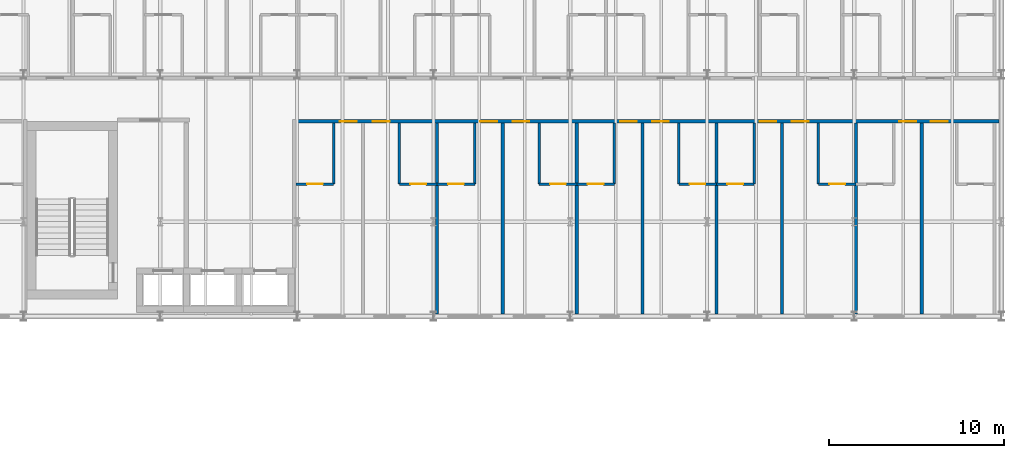
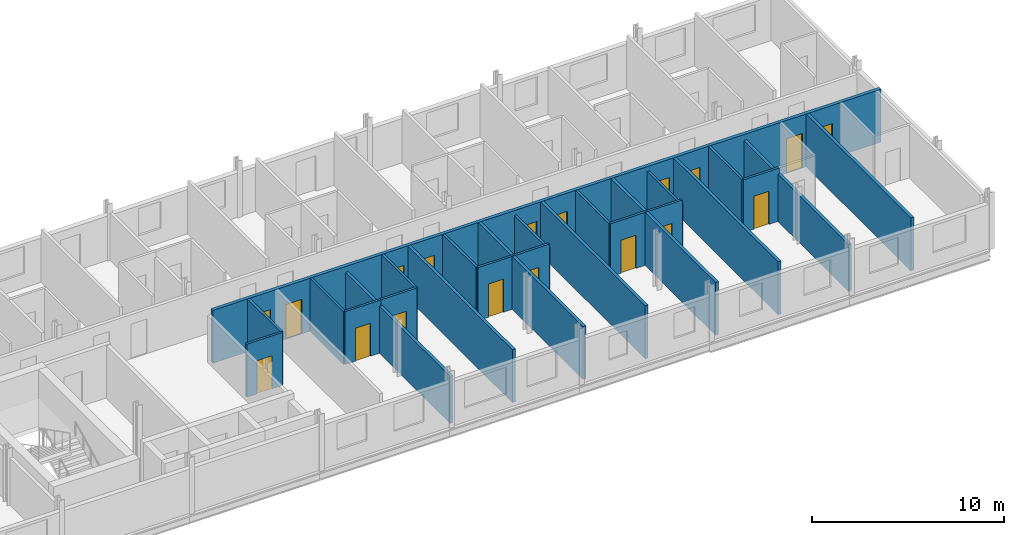
# One storey, part 26 of 36: 25 walls, 18 doors, 18 openings.
"""IFC4 building model written with IfcOpenShell, lengths in metres."""

from ifc_helpers import new_model, si_unit, direction, frame, frame_2d, origin, place, context, subcontext, project, spatial, rectangle, extrude, material, layer, layer_set, type_object, element, fill, save


model = new_model("IFC4")

# Units and contexts
model_context = context("Model", 3, precision=1e-05, world=origin(), true_north=direction((0.0, 1.0)))
body_context = subcontext(model_context, "Body", "Model", "MODEL_VIEW")
ifc_project = project(units=[si_unit("LENGTHUNIT", "METRE"), si_unit("AREAUNIT", "SQUARE_METRE"), si_unit("VOLUMEUNIT", "CUBIC_METRE"), si_unit("PLANEANGLEUNIT", "RADIAN"), si_unit("MASSUNIT", "GRAM", prefix="KILO")], contexts=[model_context])

# Site, building, storey
site_placement = place(None, origin())
site = spatial("IfcSite", under=ifc_project, at=site_placement, CompositionType="ELEMENT")
building_placement = place(site_placement, origin())
building = spatial("IfcBuilding", under=site, at=building_placement, Name="Sefraquen Railside Congress Hotel", CompositionType="ELEMENT")
storey_placement = place(building_placement, frame((0.0, 0.0, 28.199951171875)))
storey = spatial("IfcBuildingStorey", under=building, at=storey_placement, Name="L06", CompositionType="ELEMENT", Elevation=28.199951171875)

# Wall
ifc_material_1 = material(Name="Moisture-resistant gypsum board", Category="gypsum")
ifc_layer_1 = layer(ifc_material_1, 0.139892578125)
ifc_layer_set_1 = layer_set([ifc_layer_1], Name="Moisture-resistant gypsum board")
wall_type_1 = type_object("IfcWallType", Name="TW-PW-140", PredefinedType="PARTITIONING", material=ifc_layer_set_1)
wall_1_placement = place(storey_placement, frame((81.89990234375, 103.550048828125, 0.0), z_axis=(0.0, 0.0, 1.0), x_axis=(0.0, 1.0, 0.0)))
element("IfcWall", 1, at=wall_1_placement, inside=storey, type_object=wall_type_1, Name="En-suite bathroom east wall RM-029", PredefinedType="PARTITIONING", context=body_context, shape_type="SweptSolid", body=[
    extrude(rectangle(XDim=3.469970703125, YDim=0.139892578125, at=frame_2d((1.73486328125, 0.0))), origin(), (0.0, 0.0, 1.0), 3.360107421875),
])

# Wall, opening, door
wall_2_placement = place(storey_placement, frame((79.75, 103.550048828125, 0.0), z_axis=(0.0, 0.0, 1.0), x_axis=(1.0, 0.0, 0.0)))
wall_2 = element("IfcWall", 2, at=wall_2_placement, inside=storey, type_object=wall_type_1, Name="En-suite bathroom south wall RM-029", PredefinedType="PARTITIONING", context=body_context, shape_type="SweptSolid", body=[
    extrude(rectangle(XDim=2.14990234375, YDim=0.139892578125, at=frame_2d((1.074951171875, 0.0))), origin(), (0.0, 0.0, 1.0), 3.360107421875),
])
opening_1_placement = place(wall_2_placement, frame((0.625, 0.0, 0.0)))
opening_1 = element("IfcOpeningElement", 3, at=opening_1_placement, cuts=wall_2, Name="Opening ID-02", PredefinedType="OPENING", context=body_context, shape_type="SweptSolid", body=[
    extrude(rectangle(XDim=0.89990234375, YDim=2.10009765625, at=frame_2d((0.449951171875, 1.050048828125))), frame((0.0, 0.079833984375, 0.0), z_axis=(0.0, -1.0, 0.0), x_axis=(1.0, 0.0, 0.0)), (0.0, 0.0, 1.0), 0.159912109375),
])
ifc_material_2 = material(Name="Lacquered cedar joinery", Category="wood")
door_type_1 = type_object("IfcDoorType", Name="TD-ID-02", OperationType="NOTDEFINED", PredefinedType="DOOR", material=ifc_material_2)
door_1_placement = place(opening_1_placement, frame((0.89990234375, 0.0, 0.0), z_axis=(0.0, 0.0, 1.0), x_axis=(-1.0, 0.0, 0.0)))
door_1 = element("IfcDoor", 4, at=door_1_placement, inside=storey, type_object=door_type_1, Name="En-suite bathroom door RM-029", OperationType="SINGLE_SWING_LEFT", OverallHeight=2.10009765625, OverallWidth=0.89990234375, PredefinedType="DOOR", context=body_context, shape_type="SweptSolid", body=[
    extrude(rectangle(XDim=0.89990234375, YDim=2.10009765625, at=frame_2d((0.449951171875, 1.050048828125))), frame((0.0, 0.02490234375, 0.0), z_axis=(0.0, -1.0, 0.0), x_axis=(1.0, 0.0, 0.0)), (0.0, 0.0, 1.0), 0.050048828125),
])
fill(opening_1, door_1)

# Wall
wall_3_placement = place(storey_placement, frame((85.64990234375, 103.550048828125, 0.0), z_axis=(0.0, 0.0, 1.0), x_axis=(0.0, 1.0, 0.0)))
element("IfcWall", 5, at=wall_3_placement, inside=storey, type_object=wall_type_1, Name="En-suite bathroom west wall RM-030", PredefinedType="PARTITIONING", context=body_context, shape_type="SweptSolid", body=[
    extrude(rectangle(XDim=3.469970703125, YDim=0.139892578125, at=frame_2d((1.73486328125, 0.0))), origin(), (0.0, 0.0, 1.0), 3.360107421875),
])

# Wall, opening, door
wall_4_placement = place(storey_placement, frame((85.64990234375, 103.550048828125, 0.0), z_axis=(0.0, 0.0, 1.0), x_axis=(1.0, 0.0, 0.0)))
wall_4 = element("IfcWall", 6, at=wall_4_placement, inside=storey, type_object=wall_type_1, Name="En-suite bathroom south wall RM-030", PredefinedType="PARTITIONING", context=body_context, shape_type="SweptSolid", body=[
    extrude(rectangle(XDim=2.150146484375, YDim=0.139892578125, at=frame_2d((1.0751953125, 0.0))), origin(), (0.0, 0.0, 1.0), 3.360107421875),
])
opening_2_placement = place(wall_4_placement, frame((0.625, 0.0, 0.0)))
opening_2 = element("IfcOpeningElement", 7, at=opening_2_placement, cuts=wall_4, Name="Opening ID-02", PredefinedType="OPENING", context=body_context, shape_type="SweptSolid", body=[
    extrude(rectangle(XDim=0.89990234375, YDim=2.10009765625, at=frame_2d((0.449951171875, 1.050048828125))), frame((0.0, 0.079833984375, 0.0), z_axis=(0.0, -1.0, 0.0), x_axis=(1.0, 0.0, 0.0)), (0.0, 0.0, 1.0), 0.159912109375),
])
door_2_placement = place(opening_2_placement, frame((0.89990234375, 0.0, 0.0), z_axis=(0.0, 0.0, 1.0), x_axis=(-1.0, 0.0, 0.0)))
door_2 = element("IfcDoor", 8, at=door_2_placement, inside=storey, type_object=door_type_1, Name="En-suite bathroom door RM-030", OperationType="SINGLE_SWING_LEFT", OverallHeight=2.10009765625, OverallWidth=0.89990234375, PredefinedType="DOOR", context=body_context, shape_type="SweptSolid", body=[
    extrude(rectangle(XDim=0.89990234375, YDim=2.10009765625, at=frame_2d((0.449951171875, 1.050048828125))), frame((0.0, 0.02490234375, 0.0), z_axis=(0.0, -1.0, 0.0), x_axis=(1.0, 0.0, 0.0)), (0.0, 0.0, 1.0), 0.050048828125),
])
fill(opening_2, door_2)

# Wall
wall_5_placement = place(storey_placement, frame((89.949951171875, 103.550048828125, 0.0), z_axis=(0.0, 0.0, 1.0), x_axis=(0.0, 1.0, 0.0)))
element("IfcWall", 9, at=wall_5_placement, inside=storey, type_object=wall_type_1, Name="En-suite bathroom east wall RM-031", PredefinedType="PARTITIONING", context=body_context, shape_type="SweptSolid", body=[
    extrude(rectangle(XDim=3.469970703125, YDim=0.139892578125, at=frame_2d((1.73486328125, 0.0))), origin(), (0.0, 0.0, 1.0), 3.360107421875),
])

# Wall, opening, door
wall_6_placement = place(storey_placement, frame((87.800048828125, 103.550048828125, 0.0), z_axis=(0.0, 0.0, 1.0), x_axis=(1.0, 0.0, 0.0)))
wall_6 = element("IfcWall", 10, at=wall_6_placement, inside=storey, type_object=wall_type_1, Name="En-suite bathroom south wall RM-031", PredefinedType="PARTITIONING", context=body_context, shape_type="SweptSolid", body=[
    extrude(rectangle(XDim=2.14990234375, YDim=0.139892578125, at=frame_2d((1.074951171875, 0.0))), origin(), (0.0, 0.0, 1.0), 3.360107421875),
])
opening_3_placement = place(wall_6_placement, frame((0.625, 0.0, 0.0)))
opening_3 = element("IfcOpeningElement", 11, at=opening_3_placement, cuts=wall_6, Name="Opening ID-02", PredefinedType="OPENING", context=body_context, shape_type="SweptSolid", body=[
    extrude(rectangle(XDim=0.89990234375, YDim=2.10009765625, at=frame_2d((0.449951171875, 1.050048828125))), frame((0.0, 0.079833984375, 0.0), z_axis=(0.0, -1.0, 0.0), x_axis=(1.0, 0.0, 0.0)), (0.0, 0.0, 1.0), 0.159912109375),
])
door_3_placement = place(opening_3_placement, frame((0.89990234375, 0.0, 0.0), z_axis=(0.0, 0.0, 1.0), x_axis=(-1.0, 0.0, 0.0)))
door_3 = element("IfcDoor", 12, at=door_3_placement, inside=storey, type_object=door_type_1, Name="En-suite bathroom door RM-031", OperationType="SINGLE_SWING_LEFT", OverallHeight=2.10009765625, OverallWidth=0.89990234375, PredefinedType="DOOR", context=body_context, shape_type="SweptSolid", body=[
    extrude(rectangle(XDim=0.89990234375, YDim=2.10009765625, at=frame_2d((0.449951171875, 1.050048828125))), frame((0.0, 0.02490234375, 0.0), z_axis=(0.0, -1.0, 0.0), x_axis=(1.0, 0.0, 0.0)), (0.0, 0.0, 1.0), 0.050048828125),
])
fill(opening_3, door_3)

# Wall
wall_7_placement = place(storey_placement, frame((93.6201171875, 103.550048828125, 0.0), z_axis=(0.0, 0.0, 1.0), x_axis=(0.0, 1.0, 0.0)))
element("IfcWall", 13, at=wall_7_placement, inside=storey, type_object=wall_type_1, Name="En-suite bathroom west wall RM-032", PredefinedType="PARTITIONING", context=body_context, shape_type="SweptSolid", body=[
    extrude(rectangle(XDim=3.469970703125, YDim=0.139892578125, at=frame_2d((1.73486328125, 0.0))), origin(), (0.0, 0.0, 1.0), 3.360107421875),
])

# Wall, opening, door
wall_8_placement = place(storey_placement, frame((93.6201171875, 103.550048828125, 0.0), z_axis=(0.0, 0.0, 1.0), x_axis=(1.0, 0.0, 0.0)))
wall_8 = element("IfcWall", 14, at=wall_8_placement, inside=storey, type_object=wall_type_1, Name="En-suite bathroom south wall RM-032", PredefinedType="PARTITIONING", context=body_context, shape_type="SweptSolid", body=[
    extrude(rectangle(XDim=2.14990234375, YDim=0.139892578125, at=frame_2d((1.074951171875, 0.0))), origin(), (0.0, 0.0, 1.0), 3.360107421875),
])
opening_4_placement = place(wall_8_placement, frame((0.625, 0.0, 0.0)))
opening_4 = element("IfcOpeningElement", 15, at=opening_4_placement, cuts=wall_8, Name="Opening ID-02", PredefinedType="OPENING", context=body_context, shape_type="SweptSolid", body=[
    extrude(rectangle(XDim=0.89990234375, YDim=2.10009765625, at=frame_2d((0.449951171875, 1.050048828125))), frame((0.0, 0.079833984375, 0.0), z_axis=(0.0, -1.0, 0.0), x_axis=(1.0, 0.0, 0.0)), (0.0, 0.0, 1.0), 0.159912109375),
])
door_4_placement = place(opening_4_placement, frame((0.89990234375, 0.0, 0.0), z_axis=(0.0, 0.0, 1.0), x_axis=(-1.0, 0.0, 0.0)))
door_4 = element("IfcDoor", 16, at=door_4_placement, inside=storey, type_object=door_type_1, Name="En-suite bathroom door RM-032", OperationType="SINGLE_SWING_LEFT", OverallHeight=2.10009765625, OverallWidth=0.89990234375, PredefinedType="DOOR", context=body_context, shape_type="SweptSolid", body=[
    extrude(rectangle(XDim=0.89990234375, YDim=2.10009765625, at=frame_2d((0.449951171875, 1.050048828125))), frame((0.0, 0.02490234375, 0.0), z_axis=(0.0, -1.0, 0.0), x_axis=(1.0, 0.0, 0.0)), (0.0, 0.0, 1.0), 0.050048828125),
])
fill(opening_4, door_4)

# Wall
wall_9_placement = place(storey_placement, frame((97.919921875, 103.550048828125, 0.0), z_axis=(0.0, 0.0, 1.0), x_axis=(0.0, 1.0, 0.0)))
element("IfcWall", 17, at=wall_9_placement, inside=storey, type_object=wall_type_1, Name="En-suite bathroom east wall RM-033", PredefinedType="PARTITIONING", context=body_context, shape_type="SweptSolid", body=[
    extrude(rectangle(XDim=3.469970703125, YDim=0.139892578125, at=frame_2d((1.73486328125, 0.0))), origin(), (0.0, 0.0, 1.0), 3.050048828125),
])

# Wall, opening, door
wall_10_placement = place(storey_placement, frame((95.77001953125, 103.550048828125, 0.0), z_axis=(0.0, 0.0, 1.0), x_axis=(1.0, 0.0, 0.0)))
wall_10 = element("IfcWall", 18, at=wall_10_placement, inside=storey, type_object=wall_type_1, Name="En-suite bathroom south wall RM-033", PredefinedType="PARTITIONING", context=body_context, shape_type="SweptSolid", body=[
    extrude(rectangle(XDim=2.14990234375, YDim=0.139892578125, at=frame_2d((1.074951171875, 0.0))), origin(), (0.0, 0.0, 1.0), 3.360107421875),
])
opening_5_placement = place(wall_10_placement, frame((0.625, 0.0, 0.0)))
opening_5 = element("IfcOpeningElement", 19, at=opening_5_placement, cuts=wall_10, Name="Opening ID-02", PredefinedType="OPENING", context=body_context, shape_type="SweptSolid", body=[
    extrude(rectangle(XDim=0.89990234375, YDim=2.10009765625, at=frame_2d((0.449951171875, 1.050048828125))), frame((0.0, 0.079833984375, 0.0), z_axis=(0.0, -1.0, 0.0), x_axis=(1.0, 0.0, 0.0)), (0.0, 0.0, 1.0), 0.159912109375),
])
door_5_placement = place(opening_5_placement, frame((0.89990234375, 0.0, 0.0), z_axis=(0.0, 0.0, 1.0), x_axis=(-1.0, 0.0, 0.0)))
door_5 = element("IfcDoor", 20, at=door_5_placement, inside=storey, type_object=door_type_1, Name="En-suite bathroom door RM-033", OperationType="SINGLE_SWING_LEFT", OverallHeight=2.10009765625, OverallWidth=0.89990234375, PredefinedType="DOOR", context=body_context, shape_type="SweptSolid", body=[
    extrude(rectangle(XDim=0.89990234375, YDim=2.10009765625, at=frame_2d((0.449951171875, 1.050048828125))), frame((0.0, 0.02490234375, 0.0), z_axis=(0.0, -1.0, 0.0), x_axis=(1.0, 0.0, 0.0)), (0.0, 0.0, 1.0), 0.050048828125),
])
fill(opening_5, door_5)

# Wall
wall_11_placement = place(storey_placement, frame((101.590087890625, 103.550048828125, 0.0), z_axis=(0.0, 0.0, 1.0), x_axis=(0.0, 1.0, 0.0)))
element("IfcWall", 21, at=wall_11_placement, inside=storey, type_object=wall_type_1, Name="En-suite bathroom west wall RM-034", PredefinedType="PARTITIONING", context=body_context, shape_type="SweptSolid", body=[
    extrude(rectangle(XDim=3.469970703125, YDim=0.139892578125, at=frame_2d((1.73486328125, 0.0))), origin(), (0.0, 0.0, 1.0), 3.360107421875),
])

# Wall, opening, door
wall_12_placement = place(storey_placement, frame((101.590087890625, 103.550048828125, 0.0), z_axis=(0.0, 0.0, 1.0), x_axis=(1.0, 0.0, 0.0)))
wall_12 = element("IfcWall", 22, at=wall_12_placement, inside=storey, type_object=wall_type_1, Name="En-suite bathroom south wall RM-034", PredefinedType="PARTITIONING", context=body_context, shape_type="SweptSolid", body=[
    extrude(rectangle(XDim=2.14990234375, YDim=0.139892578125, at=frame_2d((1.074951171875, 0.0))), origin(), (0.0, 0.0, 1.0), 3.360107421875),
])
opening_6_placement = place(wall_12_placement, frame((0.625, 0.0, 0.0)))
opening_6 = element("IfcOpeningElement", 23, at=opening_6_placement, cuts=wall_12, Name="Opening ID-02", PredefinedType="OPENING", context=body_context, shape_type="SweptSolid", body=[
    extrude(rectangle(XDim=0.89990234375, YDim=2.10009765625, at=frame_2d((0.449951171875, 1.050048828125))), frame((0.0, 0.079833984375, 0.0), z_axis=(0.0, -1.0, 0.0), x_axis=(1.0, 0.0, 0.0)), (0.0, 0.0, 1.0), 0.159912109375),
])
door_6_placement = place(opening_6_placement, frame((0.89990234375, 0.0, 0.0), z_axis=(0.0, 0.0, 1.0), x_axis=(-1.0, 0.0, 0.0)))
door_6 = element("IfcDoor", 24, at=door_6_placement, inside=storey, type_object=door_type_1, Name="En-suite bathroom door RM-034", OperationType="SINGLE_SWING_LEFT", OverallHeight=2.10009765625, OverallWidth=0.89990234375, PredefinedType="DOOR", context=body_context, shape_type="SweptSolid", body=[
    extrude(rectangle(XDim=0.89990234375, YDim=2.10009765625, at=frame_2d((0.449951171875, 1.050048828125))), frame((0.0, 0.02490234375, 0.0), z_axis=(0.0, -1.0, 0.0), x_axis=(1.0, 0.0, 0.0)), (0.0, 0.0, 1.0), 0.050048828125),
])
fill(opening_6, door_6)

# Wall
wall_13_placement = place(storey_placement, frame((105.889892578125, 103.550048828125, 0.0), z_axis=(0.0, 0.0, 1.0), x_axis=(0.0, 1.0, 0.0)))
element("IfcWall", 25, at=wall_13_placement, inside=storey, type_object=wall_type_1, Name="En-suite bathroom east wall RM-035", PredefinedType="PARTITIONING", context=body_context, shape_type="SweptSolid", body=[
    extrude(rectangle(XDim=3.469970703125, YDim=0.139892578125, at=frame_2d((1.73486328125, 0.0))), origin(), (0.0, 0.0, 1.0), 3.050048828125),
])

# Wall, opening, door
wall_14_placement = place(storey_placement, frame((103.739990234375, 103.550048828125, 0.0), z_axis=(0.0, 0.0, 1.0), x_axis=(1.0, 0.0, 0.0)))
wall_14 = element("IfcWall", 26, at=wall_14_placement, inside=storey, type_object=wall_type_1, Name="En-suite bathroom south wall RM-035", PredefinedType="PARTITIONING", context=body_context, shape_type="SweptSolid", body=[
    extrude(rectangle(XDim=2.14990234375, YDim=0.139892578125, at=frame_2d((1.074951171875, 0.0))), origin(), (0.0, 0.0, 1.0), 3.360107421875),
])
opening_7_placement = place(wall_14_placement, frame((0.625, 0.0, 0.0)))
opening_7 = element("IfcOpeningElement", 27, at=opening_7_placement, cuts=wall_14, Name="Opening ID-02", PredefinedType="OPENING", context=body_context, shape_type="SweptSolid", body=[
    extrude(rectangle(XDim=0.89990234375, YDim=2.10009765625, at=frame_2d((0.449951171875, 1.050048828125))), frame((0.0, 0.079833984375, 0.0), z_axis=(0.0, -1.0, 0.0), x_axis=(1.0, 0.0, 0.0)), (0.0, 0.0, 1.0), 0.159912109375),
])
door_7_placement = place(opening_7_placement, frame((0.89990234375, 0.0, 0.0), z_axis=(0.0, 0.0, 1.0), x_axis=(-1.0, 0.0, 0.0)))
door_7 = element("IfcDoor", 28, at=door_7_placement, inside=storey, type_object=door_type_1, Name="En-suite bathroom door RM-035", OperationType="SINGLE_SWING_LEFT", OverallHeight=2.10009765625, OverallWidth=0.89990234375, PredefinedType="DOOR", context=body_context, shape_type="SweptSolid", body=[
    extrude(rectangle(XDim=0.89990234375, YDim=2.10009765625, at=frame_2d((0.449951171875, 1.050048828125))), frame((0.0, 0.02490234375, 0.0), z_axis=(0.0, -1.0, 0.0), x_axis=(1.0, 0.0, 0.0)), (0.0, 0.0, 1.0), 0.050048828125),
])
fill(opening_7, door_7)

# Wall
wall_15_placement = place(storey_placement, frame((109.56005859375, 103.550048828125, 0.0), z_axis=(0.0, 0.0, 1.0), x_axis=(0.0, 1.0, 0.0)))
element("IfcWall", 29, at=wall_15_placement, inside=storey, type_object=wall_type_1, Name="En-suite bathroom west wall RM-036", PredefinedType="PARTITIONING", context=body_context, shape_type="SweptSolid", body=[
    extrude(rectangle(XDim=3.469970703125, YDim=0.139892578125, at=frame_2d((1.73486328125, 0.0))), origin(), (0.0, 0.0, 1.0), 3.360107421875),
])

# Wall, opening, door
wall_16_placement = place(storey_placement, frame((109.56005859375, 103.550048828125, 0.0), z_axis=(0.0, 0.0, 1.0), x_axis=(1.0, 0.0, 0.0)))
wall_16 = element("IfcWall", 30, at=wall_16_placement, inside=storey, type_object=wall_type_1, Name="En-suite bathroom south wall RM-036", PredefinedType="PARTITIONING", context=body_context, shape_type="SweptSolid", body=[
    extrude(rectangle(XDim=2.14990234375, YDim=0.139892578125, at=frame_2d((1.074951171875, 0.0))), origin(), (0.0, 0.0, 1.0), 3.360107421875),
])
opening_8_placement = place(wall_16_placement, frame((0.625, 0.0, 0.0)))
opening_8 = element("IfcOpeningElement", 31, at=opening_8_placement, cuts=wall_16, Name="Opening ID-02", PredefinedType="OPENING", context=body_context, shape_type="SweptSolid", body=[
    extrude(rectangle(XDim=0.89990234375, YDim=2.10009765625, at=frame_2d((0.449951171875, 1.050048828125))), frame((0.0, 0.079833984375, 0.0), z_axis=(0.0, -1.0, 0.0), x_axis=(1.0, 0.0, 0.0)), (0.0, 0.0, 1.0), 0.159912109375),
])
door_8_placement = place(opening_8_placement, frame((0.89990234375, 0.0, 0.0), z_axis=(0.0, 0.0, 1.0), x_axis=(-1.0, 0.0, 0.0)))
door_8 = element("IfcDoor", 32, at=door_8_placement, inside=storey, type_object=door_type_1, Name="En-suite bathroom door RM-036", OperationType="SINGLE_SWING_LEFT", OverallHeight=2.10009765625, OverallWidth=0.89990234375, PredefinedType="DOOR", context=body_context, shape_type="SweptSolid", body=[
    extrude(rectangle(XDim=0.89990234375, YDim=2.10009765625, at=frame_2d((0.449951171875, 1.050048828125))), frame((0.0, 0.02490234375, 0.0), z_axis=(0.0, -1.0, 0.0), x_axis=(1.0, 0.0, 0.0)), (0.0, 0.0, 1.0), 0.050048828125),
])
fill(opening_8, door_8)

# Walls
ifc_material_3 = material(Name="Acoustic gypsum board on metal stud", Category="gypsum")
ifc_layer_2 = layer(ifc_material_3, 0.179931640625)
ifc_layer_set_2 = layer_set([ifc_layer_2], Name="Acoustic gypsum board on metal stud")
wall_type_2 = type_object("IfcWallType", Name="TW-PW-180", PredefinedType="PARTITIONING", material=ifc_layer_set_2)
wall_17_placement = place(storey_placement, frame((87.800048828125, 96.139892578125, 0.0), z_axis=(0.0, 0.0, 1.0), x_axis=(0.0, 1.0, 0.0)))
element("IfcWall", 33, at=wall_17_placement, inside=storey, type_object=wall_type_2, Name="South guest room demising wall RM-030", PredefinedType="PARTITIONING", context=body_context, shape_type="SweptSolid", body=[
    extrude(rectangle(XDim=10.880126953125, YDim=0.179931640625, at=frame_2d((5.43994140625, 0.0))), origin(), (0.0, 0.0, 1.0), 2.989990234375),
])
for number, where, z_axis, x_axis, name in (
    (34, (91.544921875, 96.139892578125, 0.0), (0.0, 0.0, 1.0), (0.0, 1.0, 0.0), "South guest room demising wall RM-031"),
    (35, (95.77001953125, 96.139892578125, 0.0), (0.0, 0.0, 1.0), (0.0, 1.0, 0.0), "South guest room demising wall RM-032"),
    (36, (99.514892578125, 96.139892578125, 0.0), (0.0, 0.0, 1.0), (0.0, 1.0, 0.0), "South guest room demising wall RM-033"),
    (37, (103.739990234375, 96.139892578125, 0.0), (0.0, 0.0, 1.0), (0.0, 1.0, 0.0), "South guest room demising wall RM-034"),
    (38, (107.485107421875, 96.139892578125, 0.0), (0.0, 0.0, 1.0), (0.0, 1.0, 0.0), "South guest room demising wall RM-035"),
):
    element("IfcWall", number, at=place(storey_placement, frame(where, z_axis=z_axis, x_axis=x_axis)), inside=storey, type_object=wall_type_2, Name=name, PredefinedType="PARTITIONING", context=body_context, shape_type="SweptSolid", body=[
        extrude(rectangle(XDim=10.880126953125, YDim=0.179931640625, at=frame_2d((5.43994140625, 0.0))), origin(), (0.0, 0.0, 1.0), 3.360107421875),
    ])
wall_18_placement = place(storey_placement, frame((111.7099609375, 96.139892578125, 0.0), z_axis=(0.0, 0.0, 1.0), x_axis=(0.0, 1.0, 0.0)))
element("IfcWall", 39, at=wall_18_placement, inside=storey, type_object=wall_type_2, Name="South guest room demising wall RM-036", PredefinedType="PARTITIONING", context=body_context, shape_type="SweptSolid", body=[
    extrude(rectangle(XDim=10.880126953125, YDim=0.179931640625, at=frame_2d((5.43994140625, 0.0))), origin(), (0.0, 0.0, 1.0), 2.989990234375),
])
wall_19_placement = place(storey_placement, frame((115.455078125, 96.139892578125, 0.0), z_axis=(0.0, 0.0, 1.0), x_axis=(0.0, 1.0, 0.0)))
element("IfcWall", 40, at=wall_19_placement, inside=storey, type_object=wall_type_2, Name="South guest room demising wall RM-037", PredefinedType="PARTITIONING", context=body_context, shape_type="SweptSolid", body=[
    extrude(rectangle(XDim=10.880126953125, YDim=0.179931640625, at=frame_2d((5.43994140625, 0.0))), origin(), (0.0, 0.0, 1.0), 3.360107421875),
])

# Wall, openings, doors
ifc_layer_3 = layer(ifc_material_3, 0.199951171875)
ifc_layer_set_3 = layer_set([ifc_layer_3], Name="Acoustic gypsum board on metal stud")
wall_type_3 = type_object("IfcWallType", Name="TW-PW-200", PredefinedType="PARTITIONING", material=ifc_layer_set_3)
wall_20_placement = place(storey_placement, frame((79.760009765625, 107.1201171875, 0.0), z_axis=(0.0, 0.0, 1.0), x_axis=(1.0, 0.0, 0.0)))
wall_20 = element("IfcWall", 41, at=wall_20_placement, inside=storey, type_object=wall_type_3, Name="Hotel L06 south-east corridor fire-rated partition", PredefinedType="PARTITIONING", context=body_context, shape_type="SweptSolid", body=[
    extrude(rectangle(XDim=40.10009765625, YDim=0.199951171875, at=frame_2d((20.050048828125, 0.0))), origin(), (0.0, 0.0, 1.0), 3.360107421875),
])
opening_9_placement = place(wall_20_placement, frame((2.4970703125, 0.0, 0.0)))
opening_9 = element("IfcOpeningElement", 42, at=opening_9_placement, cuts=wall_20, Name="Opening GD-02", PredefinedType="OPENING", context=body_context, shape_type="SweptSolid", body=[
    extrude(rectangle(XDim=0.9599609375, YDim=2.199951171875, at=frame_2d((0.47998046875, 1.10009765625))), frame((0.0, 0.10986328125, 0.0), z_axis=(0.0, -1.0, 0.0), x_axis=(1.0, 0.0, 0.0)), (0.0, 0.0, 1.0), 0.219970703125),
])
opening_10_placement = place(wall_20_placement, frame((4.3720703125, 0.0, 0.0)))
opening_10 = element("IfcOpeningElement", 43, at=opening_10_placement, cuts=wall_20, Name="Opening GD-02", PredefinedType="OPENING", context=body_context, shape_type="SweptSolid", body=[
    extrude(rectangle(XDim=0.9599609375, YDim=2.199951171875, at=frame_2d((0.47998046875, 1.10009765625))), frame((0.0, 0.10986328125, 0.0), z_axis=(0.0, -1.0, 0.0), x_axis=(1.0, 0.0, 0.0)), (0.0, 0.0, 1.0), 0.219970703125),
])
opening_11_placement = place(wall_20_placement, frame((10.507080078125, 0.0, 0.0)))
opening_11 = element("IfcOpeningElement", 44, at=opening_11_placement, cuts=wall_20, Name="Opening GD-02", PredefinedType="OPENING", context=body_context, shape_type="SweptSolid", body=[
    extrude(rectangle(XDim=0.9599609375, YDim=2.199951171875, at=frame_2d((0.47998046875, 1.10009765625))), frame((0.0, 0.10986328125, 0.0), z_axis=(0.0, -1.0, 0.0), x_axis=(1.0, 0.0, 0.0)), (0.0, 0.0, 1.0), 0.219970703125),
])
opening_12_placement = place(wall_20_placement, frame((12.342041015625, 0.0, 0.0)))
opening_12 = element("IfcOpeningElement", 45, at=opening_12_placement, cuts=wall_20, Name="Opening GD-02", PredefinedType="OPENING", context=body_context, shape_type="SweptSolid", body=[
    extrude(rectangle(XDim=0.9599609375, YDim=2.199951171875, at=frame_2d((0.47998046875, 1.10009765625))), frame((0.0, 0.10986328125, 0.0), z_axis=(0.0, -1.0, 0.0), x_axis=(1.0, 0.0, 0.0)), (0.0, 0.0, 1.0), 0.219970703125),
])
opening_13_placement = place(wall_20_placement, frame((18.47705078125, 0.0, 0.0)))
opening_13 = element("IfcOpeningElement", 46, at=opening_13_placement, cuts=wall_20, Name="Opening GD-02", PredefinedType="OPENING", context=body_context, shape_type="SweptSolid", body=[
    extrude(rectangle(XDim=0.9599609375, YDim=2.199951171875, at=frame_2d((0.47998046875, 1.10009765625))), frame((0.0, 0.10986328125, 0.0), z_axis=(0.0, -1.0, 0.0), x_axis=(1.0, 0.0, 0.0)), (0.0, 0.0, 1.0), 0.219970703125),
])
opening_14_placement = place(wall_20_placement, frame((20.31201171875, 0.0, 0.0)))
opening_14 = element("IfcOpeningElement", 47, at=opening_14_placement, cuts=wall_20, Name="Opening GD-02", PredefinedType="OPENING", context=body_context, shape_type="SweptSolid", body=[
    extrude(rectangle(XDim=0.9599609375, YDim=2.199951171875, at=frame_2d((0.47998046875, 1.10009765625))), frame((0.0, 0.10986328125, 0.0), z_axis=(0.0, -1.0, 0.0), x_axis=(1.0, 0.0, 0.0)), (0.0, 0.0, 1.0), 0.219970703125),
])
opening_15_placement = place(wall_20_placement, frame((26.447021484375, 0.0, 0.0)))
opening_15 = element("IfcOpeningElement", 48, at=opening_15_placement, cuts=wall_20, Name="Opening GD-02", PredefinedType="OPENING", context=body_context, shape_type="SweptSolid", body=[
    extrude(rectangle(XDim=0.9599609375, YDim=2.199951171875, at=frame_2d((0.47998046875, 1.10009765625))), frame((0.0, 0.10986328125, 0.0), z_axis=(0.0, -1.0, 0.0), x_axis=(1.0, 0.0, 0.0)), (0.0, 0.0, 1.0), 0.219970703125),
])
opening_16_placement = place(wall_20_placement, frame((28.281982421875, 0.0, 0.0)))
opening_16 = element("IfcOpeningElement", 49, at=opening_16_placement, cuts=wall_20, Name="Opening GD-02", PredefinedType="OPENING", context=body_context, shape_type="SweptSolid", body=[
    extrude(rectangle(XDim=0.9599609375, YDim=2.199951171875, at=frame_2d((0.47998046875, 1.10009765625))), frame((0.0, 0.10986328125, 0.0), z_axis=(0.0, -1.0, 0.0), x_axis=(1.0, 0.0, 0.0)), (0.0, 0.0, 1.0), 0.219970703125),
])
opening_17_placement = place(wall_20_placement, frame((34.4169921875, 0.0, 0.0)))
opening_17 = element("IfcOpeningElement", 50, at=opening_17_placement, cuts=wall_20, Name="Opening GD-02", PredefinedType="OPENING", context=body_context, shape_type="SweptSolid", body=[
    extrude(rectangle(XDim=0.9599609375, YDim=2.199951171875, at=frame_2d((0.47998046875, 1.10009765625))), frame((0.0, 0.10986328125, 0.0), z_axis=(0.0, -1.0, 0.0), x_axis=(1.0, 0.0, 0.0)), (0.0, 0.0, 1.0), 0.219970703125),
])
opening_18_placement = place(wall_20_placement, frame((36.2119140625, 0.0, 0.0)))
opening_18 = element("IfcOpeningElement", 51, at=opening_18_placement, cuts=wall_20, Name="Opening GD-02", PredefinedType="OPENING", context=body_context, shape_type="SweptSolid", body=[
    extrude(rectangle(XDim=0.9599609375, YDim=2.199951171875, at=frame_2d((0.47998046875, 1.10009765625))), frame((0.0, 0.10986328125, 0.0), z_axis=(0.0, -1.0, 0.0), x_axis=(1.0, 0.0, 0.0)), (0.0, 0.0, 1.0), 0.219970703125),
])
ifc_material_4 = material(Name="Solid Atlas cedar timber fire leaf", Category="wood")
door_type_2 = type_object("IfcDoorType", Name="TD-GD-02", OperationType="NOTDEFINED", PredefinedType="DOOR", material=ifc_material_4)
door_9_placement = place(opening_9_placement, frame((0.9599609375, 0.0, 0.0), z_axis=(0.0, 0.0, 1.0), x_axis=(-1.0, 0.0, 0.0)))
door_9 = element("IfcDoor", 52, at=door_9_placement, inside=storey, type_object=door_type_2, Name="Guest room entrance fire door RM-029", OperationType="SINGLE_SWING_RIGHT", OverallHeight=2.199951171875, OverallWidth=0.9599609375, PredefinedType="DOOR", context=body_context, shape_type="SweptSolid", body=[
    extrude(rectangle(XDim=0.9599609375, YDim=2.199951171875, at=frame_2d((0.47998046875, 1.10009765625))), frame((0.0, 0.02490234375, 0.0), z_axis=(0.0, -1.0, 0.0), x_axis=(1.0, 0.0, 0.0)), (0.0, 0.0, 1.0), 0.050048828125),
])
fill(opening_9, door_9)
door_10_placement = place(opening_10_placement, frame((0.9599609375, 0.0, 0.0), z_axis=(0.0, 0.0, 1.0), x_axis=(-1.0, 0.0, 0.0)))
door_10 = element("IfcDoor", 53, at=door_10_placement, inside=storey, type_object=door_type_2, Name="Guest room entrance fire door RM-030", OperationType="SINGLE_SWING_RIGHT", OverallHeight=2.199951171875, OverallWidth=0.9599609375, PredefinedType="DOOR", context=body_context, shape_type="SweptSolid", body=[
    extrude(rectangle(XDim=0.9599609375, YDim=2.199951171875, at=frame_2d((0.47998046875, 1.10009765625))), frame((0.0, 0.02490234375, 0.0), z_axis=(0.0, -1.0, 0.0), x_axis=(1.0, 0.0, 0.0)), (0.0, 0.0, 1.0), 0.050048828125),
])
fill(opening_10, door_10)
door_11_placement = place(opening_11_placement, frame((0.9599609375, 0.0, 0.0), z_axis=(0.0, 0.0, 1.0), x_axis=(-1.0, 0.0, 0.0)))
door_11 = element("IfcDoor", 54, at=door_11_placement, inside=storey, type_object=door_type_2, Name="Guest room entrance fire door RM-031", OperationType="SINGLE_SWING_RIGHT", OverallHeight=2.199951171875, OverallWidth=0.9599609375, PredefinedType="DOOR", context=body_context, shape_type="SweptSolid", body=[
    extrude(rectangle(XDim=0.9599609375, YDim=2.199951171875, at=frame_2d((0.47998046875, 1.10009765625))), frame((0.0, 0.02490234375, 0.0), z_axis=(0.0, -1.0, 0.0), x_axis=(1.0, 0.0, 0.0)), (0.0, 0.0, 1.0), 0.050048828125),
])
fill(opening_11, door_11)
door_12_placement = place(opening_12_placement, frame((0.9599609375, 0.0, 0.0), z_axis=(0.0, 0.0, 1.0), x_axis=(-1.0, 0.0, 0.0)))
door_12 = element("IfcDoor", 55, at=door_12_placement, inside=storey, type_object=door_type_2, Name="Guest room entrance fire door RM-032", OperationType="SINGLE_SWING_RIGHT", OverallHeight=2.199951171875, OverallWidth=0.9599609375, PredefinedType="DOOR", context=body_context, shape_type="SweptSolid", body=[
    extrude(rectangle(XDim=0.9599609375, YDim=2.199951171875, at=frame_2d((0.47998046875, 1.10009765625))), frame((0.0, 0.02490234375, 0.0), z_axis=(0.0, -1.0, 0.0), x_axis=(1.0, 0.0, 0.0)), (0.0, 0.0, 1.0), 0.050048828125),
])
fill(opening_12, door_12)
door_13_placement = place(opening_13_placement, frame((0.9599609375, 0.0, 0.0), z_axis=(0.0, 0.0, 1.0), x_axis=(-1.0, 0.0, 0.0)))
door_13 = element("IfcDoor", 56, at=door_13_placement, inside=storey, type_object=door_type_2, Name="Guest room entrance fire door RM-033", OperationType="SINGLE_SWING_RIGHT", OverallHeight=2.199951171875, OverallWidth=0.9599609375, PredefinedType="DOOR", context=body_context, shape_type="SweptSolid", body=[
    extrude(rectangle(XDim=0.9599609375, YDim=2.199951171875, at=frame_2d((0.47998046875, 1.10009765625))), frame((0.0, 0.02490234375, 0.0), z_axis=(0.0, -1.0, 0.0), x_axis=(1.0, 0.0, 0.0)), (0.0, 0.0, 1.0), 0.050048828125),
])
fill(opening_13, door_13)
door_14_placement = place(opening_14_placement, frame((0.9599609375, 0.0, 0.0), z_axis=(0.0, 0.0, 1.0), x_axis=(-1.0, 0.0, 0.0)))
door_14 = element("IfcDoor", 57, at=door_14_placement, inside=storey, type_object=door_type_2, Name="Guest room entrance fire door RM-034", OperationType="SINGLE_SWING_RIGHT", OverallHeight=2.199951171875, OverallWidth=0.9599609375, PredefinedType="DOOR", context=body_context, shape_type="SweptSolid", body=[
    extrude(rectangle(XDim=0.9599609375, YDim=2.199951171875, at=frame_2d((0.47998046875, 1.10009765625))), frame((0.0, 0.02490234375, 0.0), z_axis=(0.0, -1.0, 0.0), x_axis=(1.0, 0.0, 0.0)), (0.0, 0.0, 1.0), 0.050048828125),
])
fill(opening_14, door_14)
door_15_placement = place(opening_15_placement, frame((0.9599609375, 0.0, 0.0), z_axis=(0.0, 0.0, 1.0), x_axis=(-1.0, 0.0, 0.0)))
door_15 = element("IfcDoor", 58, at=door_15_placement, inside=storey, type_object=door_type_2, Name="Guest room entrance fire door RM-035", OperationType="SINGLE_SWING_RIGHT", OverallHeight=2.199951171875, OverallWidth=0.9599609375, PredefinedType="DOOR", context=body_context, shape_type="SweptSolid", body=[
    extrude(rectangle(XDim=0.9599609375, YDim=2.199951171875, at=frame_2d((0.47998046875, 1.10009765625))), frame((0.0, 0.02490234375, 0.0), z_axis=(0.0, -1.0, 0.0), x_axis=(1.0, 0.0, 0.0)), (0.0, 0.0, 1.0), 0.050048828125),
])
fill(opening_15, door_15)
door_16_placement = place(opening_16_placement, frame((0.9599609375, 0.0, 0.0), z_axis=(0.0, 0.0, 1.0), x_axis=(-1.0, 0.0, 0.0)))
door_16 = element("IfcDoor", 59, at=door_16_placement, inside=storey, type_object=door_type_2, Name="Guest room entrance fire door RM-036", OperationType="SINGLE_SWING_RIGHT", OverallHeight=2.199951171875, OverallWidth=0.9599609375, PredefinedType="DOOR", context=body_context, shape_type="SweptSolid", body=[
    extrude(rectangle(XDim=0.9599609375, YDim=2.199951171875, at=frame_2d((0.47998046875, 1.10009765625))), frame((0.0, 0.02490234375, 0.0), z_axis=(0.0, -1.0, 0.0), x_axis=(1.0, 0.0, 0.0)), (0.0, 0.0, 1.0), 0.050048828125),
])
fill(opening_16, door_16)
door_17_placement = place(opening_17_placement, frame((0.9599609375, 0.0, 0.0), z_axis=(0.0, 0.0, 1.0), x_axis=(-1.0, 0.0, 0.0)))
door_17 = element("IfcDoor", 60, at=door_17_placement, inside=storey, type_object=door_type_2, Name="Guest room entrance fire door RM-037", OperationType="SINGLE_SWING_RIGHT", OverallHeight=2.199951171875, OverallWidth=0.9599609375, PredefinedType="DOOR", context=body_context, shape_type="SweptSolid", body=[
    extrude(rectangle(XDim=0.9599609375, YDim=2.199951171875, at=frame_2d((0.47998046875, 1.10009765625))), frame((0.0, 0.02490234375, 0.0), z_axis=(0.0, -1.0, 0.0), x_axis=(1.0, 0.0, 0.0)), (0.0, 0.0, 1.0), 0.050048828125),
])
fill(opening_17, door_17)
door_18_placement = place(opening_18_placement, frame((0.9599609375, 0.0, 0.0), z_axis=(0.0, 0.0, 1.0), x_axis=(-1.0, 0.0, 0.0)))
door_18 = element("IfcDoor", 61, at=door_18_placement, inside=storey, type_object=door_type_2, Name="Guest room entrance fire door RM-038", OperationType="SINGLE_SWING_RIGHT", OverallHeight=2.199951171875, OverallWidth=0.9599609375, PredefinedType="DOOR", context=body_context, shape_type="SweptSolid", body=[
    extrude(rectangle(XDim=0.9599609375, YDim=2.199951171875, at=frame_2d((0.47998046875, 1.10009765625))), frame((0.0, 0.02490234375, 0.0), z_axis=(0.0, -1.0, 0.0), x_axis=(1.0, 0.0, 0.0)), (0.0, 0.0, 1.0), 0.050048828125),
])
fill(opening_18, door_18)

save(model, "model.ifc")
